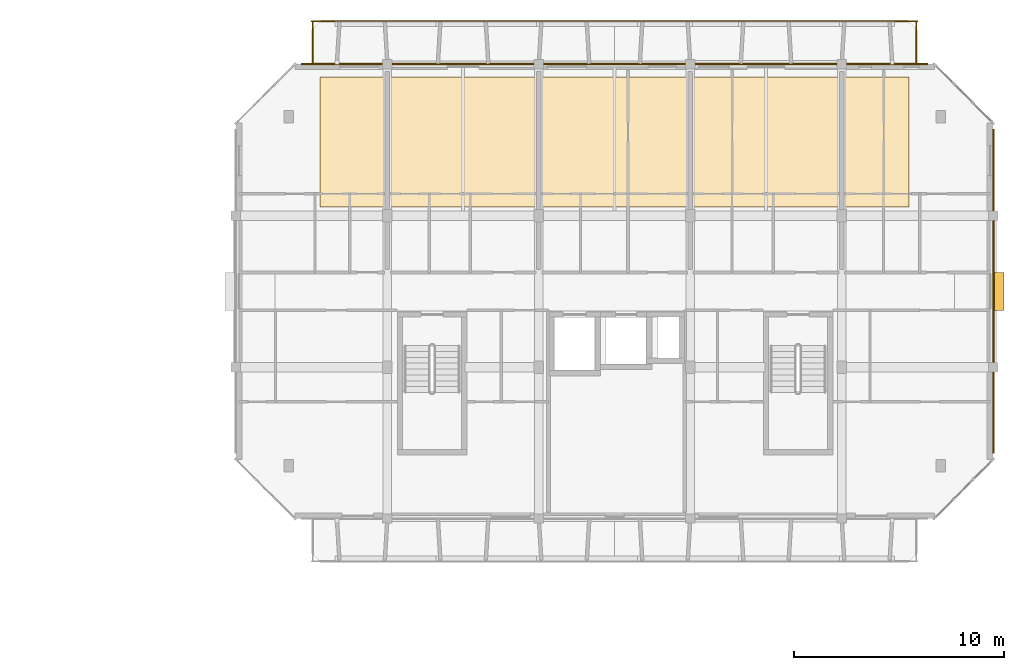
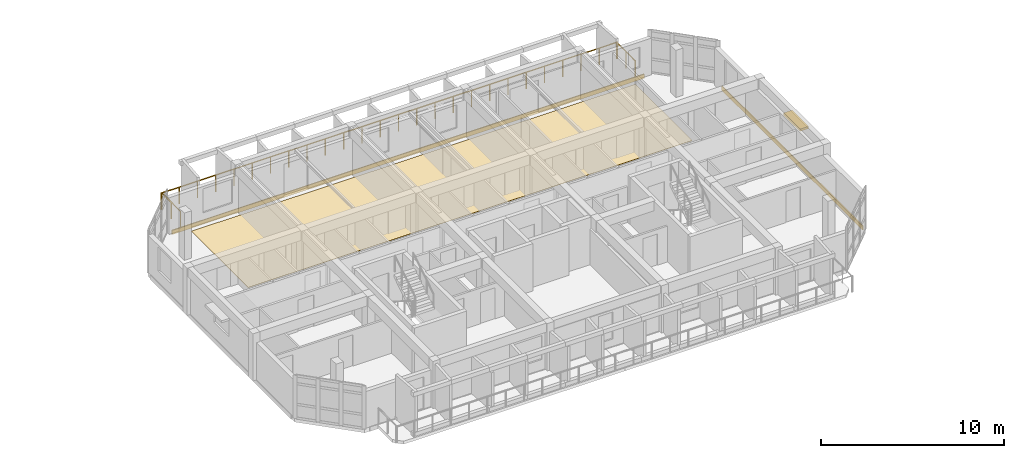
# One storey, part 30 of 30: 3 coverings, 3 railings, 1 shading device.
"""IFC4 building model written with IfcOpenShell, lengths in metres."""

from ifc_helpers import new_model, si_unit, direction, frame, origin, origin_2d, place, context, subcontext, project, spatial, polyline, rectangle, circle, outline, extrude, material, layer, layer_set, type_object, element, save


model = new_model("IFC4")

# Units and contexts
model_context = context("Model", 3, precision=1e-05, world=origin(), true_north=direction((0.0, 1.0)))
body_context = subcontext(model_context, "Body", "Model", "MODEL_VIEW")
ifc_project = project(units=[si_unit("LENGTHUNIT", "METRE"), si_unit("AREAUNIT", "SQUARE_METRE"), si_unit("VOLUMEUNIT", "CUBIC_METRE"), si_unit("PLANEANGLEUNIT", "RADIAN"), si_unit("MASSUNIT", "GRAM", prefix="KILO")], contexts=[model_context])

# Site, building, storey
site_placement = place(None, origin())
site = spatial("IfcSite", under=ifc_project, at=site_placement, CompositionType="ELEMENT")
building_placement = place(site_placement, origin())
building = spatial("IfcBuilding", under=site, at=building_placement, Name="Ochrevale Crest", CompositionType="ELEMENT")
storey_placement = place(building_placement, frame((0.0, 0.0, 33.89990234375)))
storey = spatial("IfcBuildingStorey", under=building, at=storey_placement, Name="L10", CompositionType="ELEMENT", Elevation=33.89990234375)

# Coverings
ifc_material_1 = material(Name="Glazed terracotta rainscreen tile", Category="masonry")
ifc_layer_1 = layer(ifc_material_1, 0.048095703125)
ifc_layer_set_1 = layer_set([ifc_layer_1], Name="Glazed terracotta rainscreen tile")
covering_type_1 = type_object("IfcCoveringType", Name="COV-CLAD-TER", PredefinedType="CLADDING", material=ifc_layer_set_1)
covering_1_placement = place(storey_placement, frame((165.614501953125, 82.800048828125, -0.259765625), z_axis=(0.0, 0.0, 1.0), x_axis=(0.0, 1.0, 0.0)))
element("IfcCovering", 1, at=covering_1_placement, inside=storey, type_object=covering_type_1, Name="Block D L10 terracotta slab-edge spandrel cladding", PredefinedType="CLADDING", context=body_context, shape_type="SweptSolid", body=[
    extrude(rectangle(XDim=15.39990234375, YDim=0.06005859375, at=origin_2d()), origin(), (0.0, 0.0, 1.0), 0.280029296875),
])
covering_2_placement = place(storey_placement, frame((147.60009765625, 93.612548828125, -0.259765625), z_axis=(0.0, 0.0, 1.0), x_axis=(-1.0, 0.0, 0.0)))
element("IfcCovering", 2, at=covering_2_placement, inside=storey, type_object=covering_type_1, Name="Block D L10 terracotta slab-edge spandrel cladding", PredefinedType="CLADDING", context=body_context, shape_type="SweptSolid", body=[
    extrude(rectangle(XDim=29.800048828125, YDim=0.06005859375, at=origin_2d()), origin(), (0.0, 0.0, 1.0), 0.280029296875),
])
ifc_material_2 = material(Name="Engineered spotted-gum hardwood flooring", Category="wood")
ifc_layer_2 = layer(ifc_material_2, 0.02001953125)
ifc_layer_set_2 = layer_set([ifc_layer_2], Name="Engineered spotted-gum hardwood flooring")
covering_type_2 = type_object("IfcCoveringType", Name="COV-FLR-TIM", PredefinedType="FLOORING", material=ifc_layer_set_2)
covering_3_placement = place(storey_placement, origin())
element("IfcCovering", 3, at=covering_3_placement, inside=storey, type_object=covering_type_2, Name="Block D L10 spotted-gum apartment flooring", PredefinedType="FLOORING", context=body_context, shape_type="SweptSolid", body=[
    extrude(outline(polyline([(133.60009765625, 86.800048828125), (161.60009765625, 86.800048828125), (161.60009765625, 93.0), (133.60009765625, 93.0), (133.60009765625, 86.800048828125)])), origin(), (0.0, 0.0, 1.0), 0.02001953125),
])

# Railings
ifc_material_3 = material(Name="Galvanised steel", Category="steel")
railing_type = type_object("IfcRailingType", Name="RL-BAL-1100", PredefinedType="BALUSTRADE", material=ifc_material_3)
railing_placement = place(storey_placement, frame((133.199951171875, 95.639892578125, 0.0)))
element("IfcRailing", 4, at=railing_placement, inside=storey, type_object=railing_type, Name="Block D L10 N balcony front balustrade", PredefinedType="BALUSTRADE", context=body_context, shape_type="SweptSolid", body=[
    extrude(circle(Radius=0.02392578125, at=origin_2d()), frame((0.0, 0.0, 1.0859375), z_axis=(1.0, 0.0, 0.0), x_axis=(0.0, 1.0, 0.0)), (0.0, 0.0, 1.0), 28.800048828125),
    extrude(circle(Radius=0.02099609375, at=origin_2d()), origin(), (0.0, 0.0, 1.0), 1.06201171875),
    extrude(circle(Radius=0.02099609375, at=origin_2d()), frame((1.152099609375, 0.0, 0.0)), (0.0, 0.0, 1.0), 1.06201171875),
    extrude(circle(Radius=0.02099609375, at=origin_2d()), frame((2.303955078125, 0.0, 0.0)), (0.0, 0.0, 1.0), 1.06201171875),
    extrude(circle(Radius=0.02099609375, at=origin_2d()), frame((3.4560546875, 0.0, 0.0)), (0.0, 0.0, 1.0), 1.06201171875),
    extrude(circle(Radius=0.02099609375, at=origin_2d()), frame((4.60791015625, 0.0, 0.0)), (0.0, 0.0, 1.0), 1.06201171875),
    extrude(circle(Radius=0.02099609375, at=origin_2d()), frame((5.760009765625, 0.0, 0.0)), (0.0, 0.0, 1.0), 1.06201171875),
    extrude(circle(Radius=0.02099609375, at=origin_2d()), frame((6.912109375, 0.0, 0.0)), (0.0, 0.0, 1.0), 1.06201171875),
    extrude(circle(Radius=0.02099609375, at=origin_2d()), frame((8.06396484375, 0.0, 0.0)), (0.0, 0.0, 1.0), 1.06201171875),
    extrude(circle(Radius=0.02099609375, at=origin_2d()), frame((9.216064453125, 0.0, 0.0)), (0.0, 0.0, 1.0), 1.06201171875),
    extrude(circle(Radius=0.02099609375, at=origin_2d()), frame((10.367919921875, 0.0, 0.0)), (0.0, 0.0, 1.0), 1.06201171875),
    extrude(circle(Radius=0.02099609375, at=origin_2d()), frame((11.52001953125, 0.0, 0.0)), (0.0, 0.0, 1.0), 1.06201171875),
    extrude(circle(Radius=0.02099609375, at=origin_2d()), frame((12.672119140625, 0.0, 0.0)), (0.0, 0.0, 1.0), 1.06201171875),
    extrude(circle(Radius=0.02099609375, at=origin_2d()), frame((13.823974609375, 0.0, 0.0)), (0.0, 0.0, 1.0), 1.06201171875),
    extrude(circle(Radius=0.02099609375, at=origin_2d()), frame((14.97607421875, 0.0, 0.0)), (0.0, 0.0, 1.0), 1.06201171875),
    extrude(circle(Radius=0.02099609375, at=origin_2d()), frame((16.1279296875, 0.0, 0.0)), (0.0, 0.0, 1.0), 1.06201171875),
    extrude(circle(Radius=0.02099609375, at=origin_2d()), frame((17.280029296875, 0.0, 0.0)), (0.0, 0.0, 1.0), 1.06201171875),
    extrude(circle(Radius=0.02099609375, at=origin_2d()), frame((18.43212890625, 0.0, 0.0)), (0.0, 0.0, 1.0), 1.06201171875),
    extrude(circle(Radius=0.02099609375, at=origin_2d()), frame((19.583984375, 0.0, 0.0)), (0.0, 0.0, 1.0), 1.06201171875),
    extrude(circle(Radius=0.02099609375, at=origin_2d()), frame((20.736083984375, 0.0, 0.0)), (0.0, 0.0, 1.0), 1.06201171875),
    extrude(circle(Radius=0.02099609375, at=origin_2d()), frame((21.887939453125, 0.0, 0.0)), (0.0, 0.0, 1.0), 1.06201171875),
    extrude(circle(Radius=0.02099609375, at=origin_2d()), frame((23.0400390625, 0.0, 0.0)), (0.0, 0.0, 1.0), 1.06201171875),
    extrude(circle(Radius=0.02099609375, at=origin_2d()), frame((24.192138671875, 0.0, 0.0)), (0.0, 0.0, 1.0), 1.06201171875),
    extrude(circle(Radius=0.02099609375, at=origin_2d()), frame((25.343994140625, 0.0, 0.0)), (0.0, 0.0, 1.0), 1.06201171875),
    extrude(circle(Radius=0.02099609375, at=origin_2d()), frame((26.49609375, 0.0, 0.0)), (0.0, 0.0, 1.0), 1.06201171875),
    extrude(circle(Radius=0.02099609375, at=origin_2d()), frame((27.64794921875, 0.0, 0.0)), (0.0, 0.0, 1.0), 1.06201171875),
    extrude(circle(Radius=0.02099609375, at=origin_2d()), frame((28.800048828125, 0.0, 0.0)), (0.0, 0.0, 1.0), 1.06201171875),
])
for number, where, name in (
    (5, (133.260009765625, 93.60009765625, 0.0), "Block D L10 N-W balcony side guard"),
    (6, (161.93994140625, 93.60009765625, 0.0), "Block D L10 N-E balcony side guard"),
):
    element("IfcRailing", number, at=place(storey_placement, frame(where)), inside=storey, type_object=railing_type, Name=name, PredefinedType="BALUSTRADE", context=body_context, shape_type="SweptSolid", body=[
        extrude(circle(Radius=0.02392578125, at=origin_2d()), frame((0.0, 0.0, 1.0859375), z_axis=(0.0, 1.0, 0.0), x_axis=(-1.0, 0.0, 0.0)), (0.0, 0.0, 1.0), 2.039794921875),
        extrude(circle(Radius=0.02099609375, at=origin_2d()), origin(), (0.0, 0.0, 1.0), 1.06201171875),
        extrude(circle(Radius=0.02099609375, at=origin_2d()), frame((0.0, 1.02001953125, 0.0)), (0.0, 0.0, 1.0), 1.06201171875),
        extrude(circle(Radius=0.02099609375, at=origin_2d()), frame((0.0, 2.039794921875, 0.0)), (0.0, 0.0, 1.0), 1.06201171875),
    ])

# Shading device
ifc_material_4 = material(Name="Anodised aluminium 6063-T5", Category="aluminium")
shading_device_type = type_object("IfcShadingDeviceType", Name="SHD-SUNSHADE-OC", PredefinedType="USERDEFINED", material=ifc_material_4)
shading_device_placement = place(storey_placement, frame((165.840087890625, 82.800048828125, 2.2099609375), z_axis=(0.0, 0.0, 1.0), x_axis=(1.0, 0.0, 0.0)))
element("IfcShadingDevice", 7, at=shading_device_placement, inside=storey, type_object=shading_device_type, Name="Block D L10 gable window sunshade E", ObjectType="HORIZONTAL SUNSHADE", PredefinedType="USERDEFINED", context=body_context, shape_type="SweptSolid", body=[
    extrude(rectangle(XDim=0.550048828125, YDim=1.800048828125, at=origin_2d()), origin(), (0.0, 0.0, 1.0), 0.139892578125),
])

save(model, "model.ifc")
